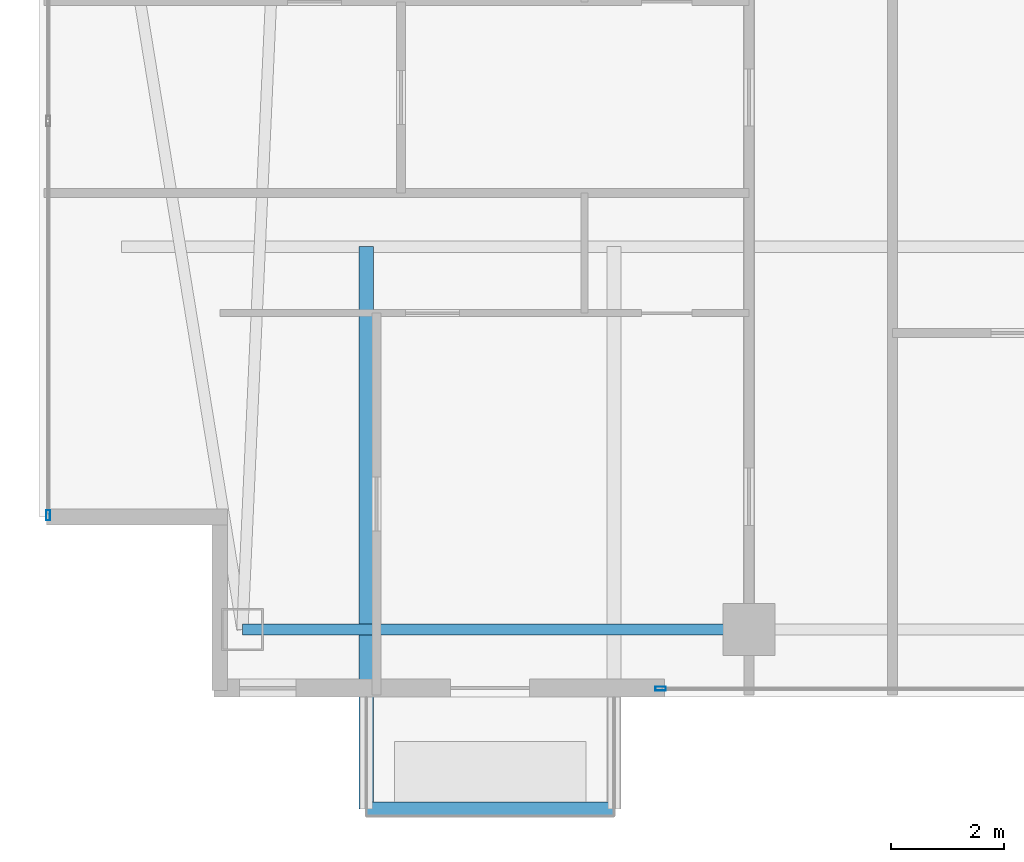
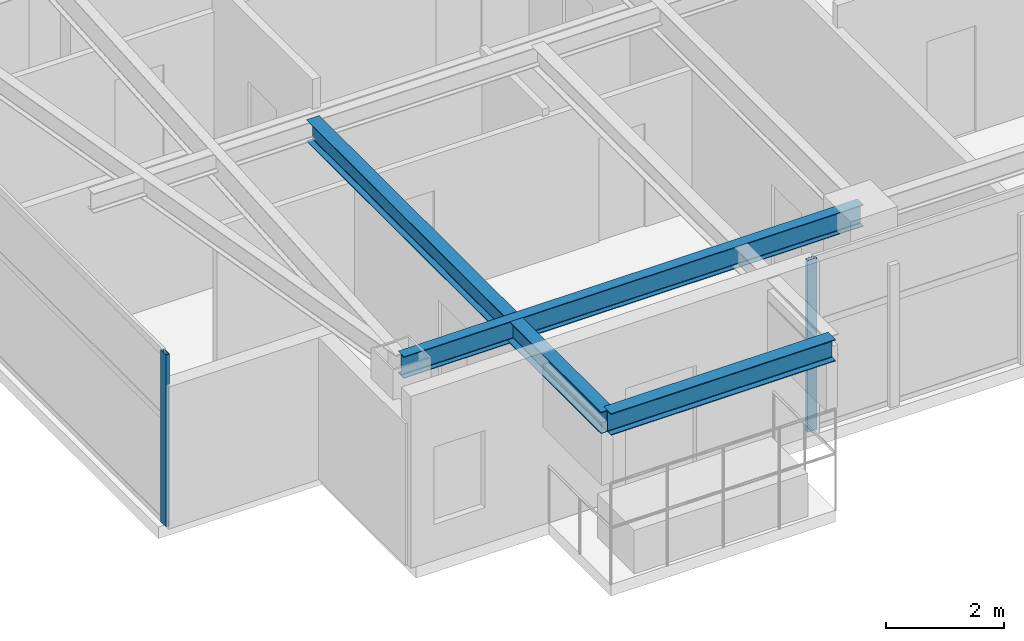
# One storey, part 2 of 27: 3 beams, 2 members, 2 elements without a shape of their own.
"""IFC4 building model written with IfcOpenShell, lengths in metres."""

from ifc_helpers import new_model, si_unit, direction, frame, origin, origin_2d, place, context, subcontext, project, spatial, hollow_rectangle, i_section, extrude, material, layer, layer_set, material_profile, profile_set, type_object, element, aggregate, save


model = new_model("IFC4")

# Units and contexts
model_context = context("Model", 3, precision=1e-05, world=origin(), true_north=direction((0.0, 1.0)))
body_context = subcontext(model_context, "Body", "Model", "MODEL_VIEW")
ifc_project = project(units=[si_unit("LENGTHUNIT", "METRE"), si_unit("AREAUNIT", "SQUARE_METRE"), si_unit("VOLUMEUNIT", "CUBIC_METRE"), si_unit("PLANEANGLEUNIT", "RADIAN"), si_unit("MASSUNIT", "GRAM", prefix="KILO")], contexts=[model_context])

# Site, building, storey
site_placement = place(None, origin())
site = spatial("IfcSite", under=ifc_project, at=site_placement, CompositionType="ELEMENT")
building_placement = place(site_placement, origin())
building = spatial("IfcBuilding", under=site, at=building_placement, Name="Calvorn Quay Hotel", CompositionType="ELEMENT")
storey_placement = place(building_placement, frame((0.0, 0.0, 223.10009765625)))
storey = spatial("IfcBuildingStorey", under=building, at=storey_placement, Name="L55", CompositionType="ELEMENT", Elevation=223.10009765625)

# Beams
ifc_material_1 = material(Name="Steel Q355B", Category="steel")
ifc_material_profile_1 = material_profile(ifc_material_1, i_section(OverallWidth=0.25, OverallDepth=0.449951171875, WebThickness=0.011962890625, FlangeThickness=0.01611328125, FilletRadius=0.01611328125, at=origin_2d()), Name="HN450x250x12x16")
ifc_profile_set_1 = profile_set([ifc_material_profile_1], Name="Steel Q355B")
beam_type_1 = type_object("IfcBeamType", Name="BM-CANT-BALC", PredefinedType="BEAM", material=ifc_profile_set_1)
beam_1_placement = place(storey_placement, frame((5.800048828125, 10.39990234375, 3.31494140625), z_axis=(0.0, -1.0, 0.0), x_axis=(1.0, 0.0, 0.0)))
element("IfcBeam", 1, at=beam_1_placement, inside=storey, type_object=beam_type_1, Name="Cantilever Balcony Beam BCB-L56-2A", PredefinedType="BEAM", context=body_context, shape_type="SweptSolid", body=[
    extrude(i_section(OverallWidth=0.25, OverallDepth=0.449951171875, WebThickness=0.011962890625, FlangeThickness=0.01611328125, FilletRadius=0.01611328125, at=origin_2d()), origin(), (0.0, 0.0, 1.0), 9.989990234375),
])
beam_2_placement = place(storey_placement, frame((5.800048828125, 0.409912109375, 3.31494140625), z_axis=(1.0, 0.0, 0.0), x_axis=(0.0, 1.0, 0.0)))
element("IfcBeam", 2, at=beam_2_placement, inside=storey, type_object=beam_type_1, Name="Beam BCBO-L56-2", PredefinedType="BEAM", context=body_context, shape_type="SweptSolid", body=[
    extrude(i_section(OverallWidth=0.25, OverallDepth=0.449951171875, WebThickness=0.011962890625, FlangeThickness=0.01611328125, FilletRadius=0.01611328125, at=origin_2d()), origin(), (0.0, 0.0, 1.0), 4.39990234375),
])
ifc_material_2 = material(Name="Steel Q355B", Category="steel")
ifc_material_profile_2 = material_profile(ifc_material_2, i_section(OverallWidth=0.199951171875, OverallDepth=0.449951171875, WebThickness=0.009033203125, FlangeThickness=0.013916015625, FilletRadius=0.01611328125, at=origin_2d()), Name="HN450x200x9x14")
ifc_profile_set_2 = profile_set([ifc_material_profile_2], Name="Steel Q355B")
beam_type_2 = type_object("IfcBeamType", Name="BM-SPANDREL-Z3", PredefinedType="SPANDREL", material=ifc_profile_set_2)
beam_3_placement = place(storey_placement, frame((3.60009765625, 3.60009765625, 3.31494140625), z_axis=(1.0, 0.0, 0.0), x_axis=(0.0, 1.0, 0.0)))
element("IfcBeam", 3, at=beam_3_placement, inside=storey, type_object=beam_type_2, Name="Beam BSP-L55-S1", PredefinedType="SPANDREL", context=body_context, shape_type="SweptSolid", body=[
    extrude(i_section(OverallWidth=0.199951171875, OverallDepth=0.449951171875, WebThickness=0.009033203125, FlangeThickness=0.013916015625, FilletRadius=0.01611328125, at=origin_2d()), origin(), (0.0, 0.0, 1.0), 9.0),
])

# Curtain wall, member
ifc_material_3 = material(Name="Champagne Bronze Anodised Aluminium and Low-E Glass", Category="aluminium")
ifc_layer = layer(ifc_material_3, 0.219970703125)
ifc_layer_set = layer_set([ifc_layer], Name="CW-SYS-Z3")
curtain_wall_type = type_object("IfcCurtainWallType", Name="CW-SYS-Z3", PredefinedType="NOTDEFINED", material=ifc_layer_set)
curtain_wall_1_placement = place(storey_placement, origin())
curtain_wall_1 = element("IfcCurtainWall", 4, at=curtain_wall_1_placement, inside=storey, type_object=curtain_wall_type, Name="Tower West Curtain Wall (L55)", PredefinedType="NOTDEFINED")
ifc_material_4 = material(Name="Champagne Bronze Anodised Aluminium 6063-T6", Category="aluminium")
ifc_material_profile_3 = material_profile(ifc_material_4, hollow_rectangle(XDim=0.068115234375, YDim=0.18505859375, WallThickness=0.00390625, at=origin_2d()), Name="ALU-M185x68x4")
ifc_profile_set_3 = profile_set([ifc_material_profile_3], Name="Champagne Bronze Anodised Aluminium 6063-T6")
member_type = type_object("IfcMemberType", Name="CW-SYS-Z3-MUL", PredefinedType="MULLION", material=ifc_profile_set_3)
member_1_placement = place(storey_placement, frame((0.14990234375, 5.6298828125, 0.0), z_axis=(0.0, 0.0, 1.0), x_axis=(-1.0, 0.0, 0.0)))
member_1 = element("IfcMember", 5, at=member_1_placement, type_object=member_type, Name="CW-L55-W mullion 1", PredefinedType="MULLION", context=body_context, shape_type="SweptSolid", body=[
    extrude(hollow_rectangle(XDim=0.068115234375, YDim=0.18505859375, WallThickness=0.00390625, at=origin_2d()), origin(), (0.0, 0.0, 1.0), 3.559814453125),
])
aggregate(curtain_wall_1, [member_1])

curtain_wall_2_placement = place(storey_placement, origin())
curtain_wall_2 = element("IfcCurtainWall", 6, at=curtain_wall_2_placement, inside=storey, type_object=curtain_wall_type, Name="Tower South Waterfront Curtain Wall (L55)", PredefinedType="NOTDEFINED")
member_2_placement = place(storey_placement, frame((11.030029296875, 2.550048828125, 0.0), z_axis=(0.0, 0.0, 1.0), x_axis=(0.0, 1.0, 0.0)))
member_2 = element("IfcMember", 7, at=member_2_placement, type_object=member_type, Name="CW-L55-S mullion 1", PredefinedType="MULLION", context=body_context, shape_type="SweptSolid", body=[
    extrude(hollow_rectangle(XDim=0.068115234375, YDim=0.18505859375, WallThickness=0.00390625, at=origin_2d()), origin(), (0.0, 0.0, 1.0), 3.559814453125),
])
aggregate(curtain_wall_2, [member_2])

save(model, "model.ifc")
